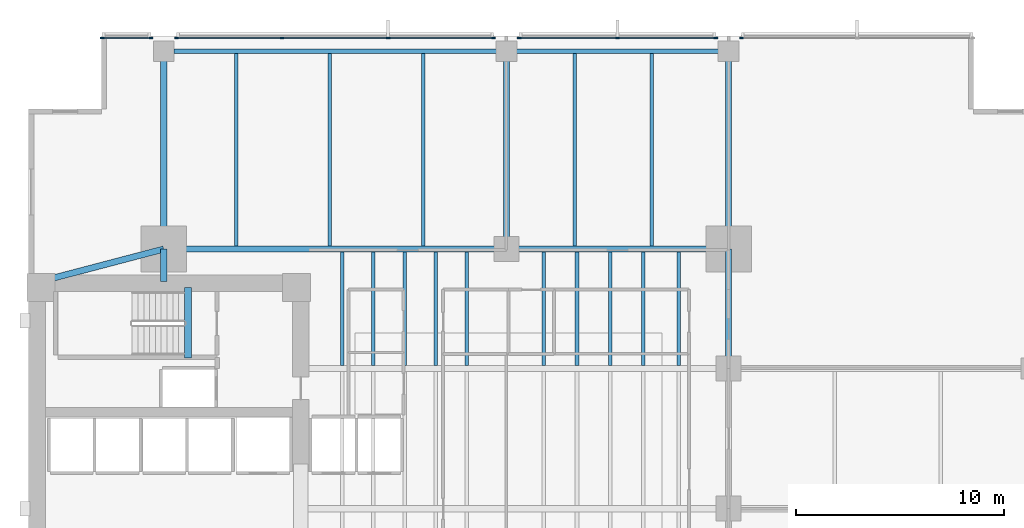
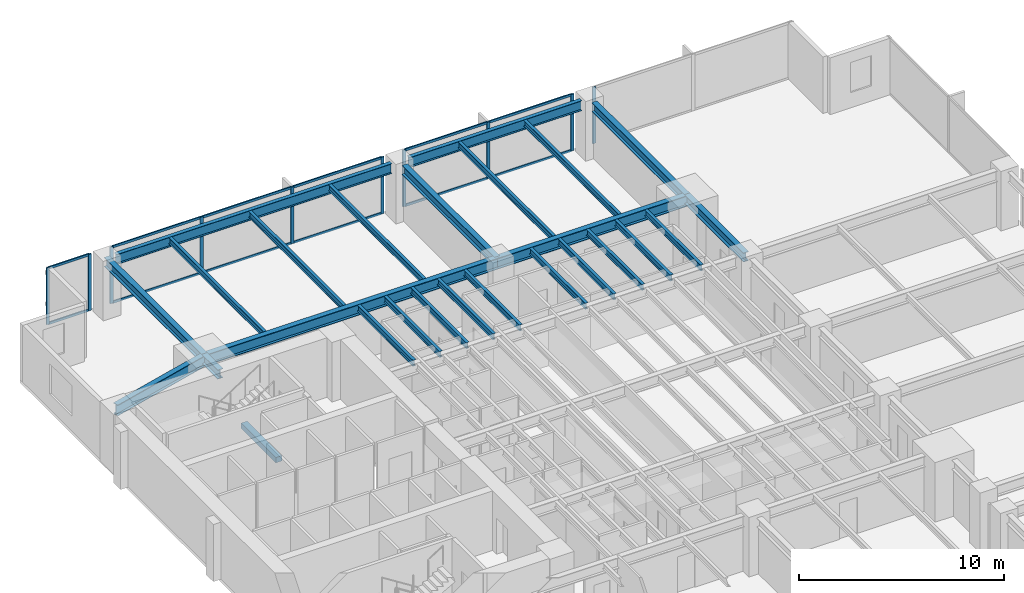
# One storey, part 5 of 15: 26 beams, 22 members, 4 elements without a shape of their own.
"""IFC4 building model written with IfcOpenShell, lengths in metres."""

from ifc_helpers import new_model, si_unit, direction, frame, origin, origin_2d, place, context, subcontext, project, spatial, rectangle, i_section, extrude, material, layer, layer_set, material_profile, profile_set, type_object, element, aggregate, save


model = new_model("IFC4")

# Units and contexts
model_context = context("Model", 3, precision=1e-05, world=origin(), true_north=direction((0.0, 1.0)))
body_context = subcontext(model_context, "Body", "Model", "MODEL_VIEW")
ifc_project = project(units=[si_unit("LENGTHUNIT", "METRE"), si_unit("AREAUNIT", "SQUARE_METRE"), si_unit("VOLUMEUNIT", "CUBIC_METRE"), si_unit("PLANEANGLEUNIT", "RADIAN"), si_unit("MASSUNIT", "GRAM", prefix="KILO")], contexts=[model_context])

# Site, building, storey
site_placement = place(None, origin())
site = spatial("IfcSite", under=ifc_project, at=site_placement, CompositionType="ELEMENT")
building_placement = place(site_placement, origin())
building = spatial("IfcBuilding", under=site, at=building_placement, Name="Kinhvarn Gate Tower", CompositionType="ELEMENT")
storey_placement = place(building_placement, frame((0.0, 0.0, 29.14990234375)))
storey = spatial("IfcBuildingStorey", under=building, at=storey_placement, Name="L06", CompositionType="ELEMENT", Elevation=29.14990234375)

# Beam
ifc_material_1 = material(Name="Concrete C50/60", Category="concrete")
ifc_material_profile_1 = material_profile(ifc_material_1, rectangle(XDim=0.340087890625, YDim=0.320068359375, at=origin_2d()), Name="RC 340x320")
ifc_profile_set_1 = profile_set([ifc_material_profile_1], Name="Concrete C50/60")
beam_type_1 = type_object("IfcBeamType", Name="BM-LND-500", PredefinedType="BEAM", material=ifc_profile_set_1)
beam_1_placement = place(storey_placement, frame((12.1650390625, 32.5, -0.159912109375), z_axis=(0.0, 1.0, 0.0), x_axis=(-1.0, 0.0, 0.0)))
element("IfcBeam", 1, at=beam_1_placement, inside=storey, type_object=beam_type_1, Name="Stair ST2 Landing Nosing Beam (L06)", PredefinedType="BEAM", context=body_context, shape_type="SweptSolid", body=[
    extrude(rectangle(XDim=0.340087890625, YDim=0.320068359375, at=origin_2d()), origin(), (0.0, 0.0, 1.0), 3.39990234375),
])

# Curtain wall, member
ifc_material_2 = material(Name="Anodised aluminium AW-6063", Category="aluminium")
ifc_layer = layer(ifc_material_2, 0.179931640625)
ifc_layer_set = layer_set([ifc_layer], Name="Anodised aluminium AW-6063")
curtain_wall_type = type_object("IfcCurtainWallType", Name="CW-SYS-2", PredefinedType="NOTDEFINED", material=ifc_layer_set)
curtain_wall_1_placement = place(storey_placement, origin())
curtain_wall_1 = element("IfcCurtainWall", 2, at=curtain_wall_1_placement, inside=storey, type_object=curtain_wall_type, Name="Curtain Wall CW2 (L06)", PredefinedType="NOTDEFINED")
ifc_material_profile_2 = material_profile(ifc_material_2, rectangle(XDim=0.070068359375, YDim=0.179931640625, at=origin_2d()), Name="ALU 70x180")
ifc_profile_set_2 = profile_set([ifc_material_profile_2], Name="Anodised aluminium AW-6063")
member_type_1 = type_object("IfcMemberType", Name="CW-MUL-180", PredefinedType="MULLION", material=ifc_profile_set_2)
member_1_placement = place(storey_placement, frame((38.81494140625, 47.909912109375, 0.0), z_axis=(0.0, 0.0, 1.0), x_axis=(0.0, -1.0, 0.0)))
member_1 = element("IfcMember", 3, at=member_1_placement, type_object=member_type_1, Name="CW2 mullion 3", PredefinedType="MULLION", context=body_context, shape_type="SweptSolid", body=[
    extrude(rectangle(XDim=0.070068359375, YDim=0.179931640625, at=origin_2d()), origin(), (0.0, 0.0, 1.0), 3.3701171875),
])
aggregate(curtain_wall_1, [member_1])

# Curtain wall, members
curtain_wall_2_placement = place(storey_placement, origin())
curtain_wall_2 = element("IfcCurtainWall", 4, at=curtain_wall_2_placement, inside=storey, type_object=curtain_wall_type, Name="Curtain Wall CW2 (L06)", PredefinedType="NOTDEFINED")
member_2_placement = place(storey_placement, frame((37.5849609375, 47.909912109375, 0.0), z_axis=(0.0, 0.0, 1.0), x_axis=(0.0, -1.0, 0.0)))
member_2 = element("IfcMember", 5, at=member_2_placement, type_object=member_type_1, Name="CW2 mullion 1", PredefinedType="MULLION", context=body_context, shape_type="SweptSolid", body=[
    extrude(rectangle(XDim=0.070068359375, YDim=0.179931640625, at=origin_2d()), origin(), (0.0, 0.0, 1.0), 3.3701171875),
])
member_3_placement = place(storey_placement, frame((32.85009765625, 47.909912109375, 0.0), z_axis=(0.0, 0.0, 1.0), x_axis=(0.0, -1.0, 0.0)))
member_3 = element("IfcMember", 6, at=member_3_placement, type_object=member_type_1, Name="CW2 mullion 2", PredefinedType="MULLION", context=body_context, shape_type="SweptSolid", body=[
    extrude(rectangle(XDim=0.070068359375, YDim=0.179931640625, at=origin_2d()), origin(), (0.0, 0.0, 1.0), 3.3701171875),
])
member_4_placement = place(storey_placement, frame((28.114990234375, 47.909912109375, 0.0), z_axis=(0.0, 0.0, 1.0), x_axis=(0.0, -1.0, 0.0)))
member_4 = element("IfcMember", 7, at=member_4_placement, type_object=member_type_1, Name="CW2 mullion 3", PredefinedType="MULLION", context=body_context, shape_type="SweptSolid", body=[
    extrude(rectangle(XDim=0.070068359375, YDim=0.179931640625, at=origin_2d()), origin(), (0.0, 0.0, 1.0), 3.3701171875),
])

curtain_wall_3_placement = place(storey_placement, origin())
curtain_wall_3 = element("IfcCurtainWall", 8, at=curtain_wall_3_placement, inside=storey, type_object=curtain_wall_type, Name="Curtain Wall CW2 (L06)", PredefinedType="NOTDEFINED")
member_5_placement = place(storey_placement, frame((26.885009765625, 47.909912109375, 0.0), z_axis=(0.0, 0.0, 1.0), x_axis=(0.0, -1.0, 0.0)))
member_5 = element("IfcMember", 9, at=member_5_placement, type_object=member_type_1, Name="CW2 mullion 1", PredefinedType="MULLION", context=body_context, shape_type="SweptSolid", body=[
    extrude(rectangle(XDim=0.070068359375, YDim=0.179931640625, at=origin_2d()), origin(), (0.0, 0.0, 1.0), 3.3701171875),
])
member_6_placement = place(storey_placement, frame((21.806640625, 47.909912109375, 0.0), z_axis=(0.0, 0.0, 1.0), x_axis=(0.0, -1.0, 0.0)))
member_6 = element("IfcMember", 10, at=member_6_placement, type_object=member_type_1, Name="CW2 mullion 2", PredefinedType="MULLION", context=body_context, shape_type="SweptSolid", body=[
    extrude(rectangle(XDim=0.070068359375, YDim=0.179931640625, at=origin_2d()), origin(), (0.0, 0.0, 1.0), 3.3701171875),
])
member_7_placement = place(storey_placement, frame((16.693359375, 47.909912109375, 0.0), z_axis=(0.0, 0.0, 1.0), x_axis=(0.0, -1.0, 0.0)))
member_7 = element("IfcMember", 11, at=member_7_placement, type_object=member_type_1, Name="CW2 mullion 3", PredefinedType="MULLION", context=body_context, shape_type="SweptSolid", body=[
    extrude(rectangle(XDim=0.070068359375, YDim=0.179931640625, at=origin_2d()), origin(), (0.0, 0.0, 1.0), 3.3701171875),
])
member_8_placement = place(storey_placement, frame((11.614990234375, 47.909912109375, 0.0), z_axis=(0.0, 0.0, 1.0), x_axis=(0.0, -1.0, 0.0)))
member_8 = element("IfcMember", 12, at=member_8_placement, type_object=member_type_1, Name="CW2 mullion 4", PredefinedType="MULLION", context=body_context, shape_type="SweptSolid", body=[
    extrude(rectangle(XDim=0.070068359375, YDim=0.179931640625, at=origin_2d()), origin(), (0.0, 0.0, 1.0), 3.3701171875),
])

curtain_wall_4_placement = place(storey_placement, origin())
curtain_wall_4 = element("IfcCurtainWall", 13, at=curtain_wall_4_placement, inside=storey, type_object=curtain_wall_type, Name="Curtain Wall CW2 (L06)", PredefinedType="NOTDEFINED")
member_9_placement = place(storey_placement, frame((10.385009765625, 47.909912109375, 0.0), z_axis=(0.0, 0.0, 1.0), x_axis=(0.0, -1.0, 0.0)))
member_9 = element("IfcMember", 14, at=member_9_placement, type_object=member_type_1, Name="CW2 mullion 1", PredefinedType="MULLION", context=body_context, shape_type="SweptSolid", body=[
    extrude(rectangle(XDim=0.070068359375, YDim=0.179931640625, at=origin_2d()), origin(), (0.0, 0.0, 1.0), 3.3701171875),
])
member_10_placement = place(storey_placement, frame((8.034912109375, 47.909912109375, 0.0), z_axis=(0.0, 0.0, 1.0), x_axis=(0.0, -1.0, 0.0)))
member_10 = element("IfcMember", 15, at=member_10_placement, type_object=member_type_1, Name="CW2 mullion 2", PredefinedType="MULLION", context=body_context, shape_type="SweptSolid", body=[
    extrude(rectangle(XDim=0.070068359375, YDim=0.179931640625, at=origin_2d()), origin(), (0.0, 0.0, 1.0), 3.3701171875),
])

# Member
ifc_material_profile_3 = material_profile(ifc_material_2, rectangle(XDim=0.070068359375, YDim=0.139892578125, at=origin_2d()), Name="ALU 70x140")
ifc_profile_set_3 = profile_set([ifc_material_profile_3], Name="Anodised aluminium AW-6063")
member_type_2 = type_object("IfcMemberType", Name="CW-TRN-140", PredefinedType="USERDEFINED", material=ifc_profile_set_3)
member_11_placement = place(storey_placement, frame((37.550048828125, 47.909912109375, 0.03515625), z_axis=(-1.0, 0.0, 0.0), x_axis=(0.0, -1.0, 0.0)))
member_11 = element("IfcMember", 16, at=member_11_placement, type_object=member_type_2, Name="CW2 transom 1.1", ObjectType="TRANSOM", PredefinedType="USERDEFINED", context=body_context, shape_type="SweptSolid", body=[
    extrude(rectangle(XDim=0.070068359375, YDim=0.139892578125, at=origin_2d()), origin(), (0.0, 0.0, 1.0), 4.6650390625),
])

member_12_placement = place(storey_placement, frame((37.550048828125, 47.909912109375, 3.335205078125), z_axis=(-1.0, 0.0, 0.0), x_axis=(0.0, -1.0, 0.0)))
member_12 = element("IfcMember", 17, at=member_12_placement, type_object=member_type_2, Name="CW2 transom 1.2", ObjectType="TRANSOM", PredefinedType="USERDEFINED", context=body_context, shape_type="SweptSolid", body=[
    extrude(rectangle(XDim=0.070068359375, YDim=0.139892578125, at=origin_2d()), origin(), (0.0, 0.0, 1.0), 4.6650390625),
])

member_13_placement = place(storey_placement, frame((32.81494140625, 47.909912109375, 0.03515625), z_axis=(-1.0, 0.0, 0.0), x_axis=(0.0, -1.0, 0.0)))
member_13 = element("IfcMember", 18, at=member_13_placement, type_object=member_type_2, Name="CW2 transom 2.1", ObjectType="TRANSOM", PredefinedType="USERDEFINED", context=body_context, shape_type="SweptSolid", body=[
    extrude(rectangle(XDim=0.070068359375, YDim=0.139892578125, at=origin_2d()), origin(), (0.0, 0.0, 1.0), 4.6650390625),
])

member_14_placement = place(storey_placement, frame((32.81494140625, 47.909912109375, 3.335205078125), z_axis=(-1.0, 0.0, 0.0), x_axis=(0.0, -1.0, 0.0)))
member_14 = element("IfcMember", 19, at=member_14_placement, type_object=member_type_2, Name="CW2 transom 2.2", ObjectType="TRANSOM", PredefinedType="USERDEFINED", context=body_context, shape_type="SweptSolid", body=[
    extrude(rectangle(XDim=0.070068359375, YDim=0.139892578125, at=origin_2d()), origin(), (0.0, 0.0, 1.0), 4.6650390625),
])

aggregate(curtain_wall_2, [member_2, member_3, member_4, member_11, member_12, member_13, member_14])

member_15_placement = place(storey_placement, frame((26.85009765625, 47.909912109375, 0.03515625), z_axis=(-1.0, 0.0, 0.0), x_axis=(0.0, -1.0, 0.0)))
member_15 = element("IfcMember", 20, at=member_15_placement, type_object=member_type_2, Name="CW2 transom 1.1", ObjectType="TRANSOM", PredefinedType="USERDEFINED", context=body_context, shape_type="SweptSolid", body=[
    extrude(rectangle(XDim=0.070068359375, YDim=0.139892578125, at=origin_2d()), origin(), (0.0, 0.0, 1.0), 5.008544921875),
])

member_16_placement = place(storey_placement, frame((26.85009765625, 47.909912109375, 3.335205078125), z_axis=(-1.0, 0.0, 0.0), x_axis=(0.0, -1.0, 0.0)))
member_16 = element("IfcMember", 21, at=member_16_placement, type_object=member_type_2, Name="CW2 transom 1.2", ObjectType="TRANSOM", PredefinedType="USERDEFINED", context=body_context, shape_type="SweptSolid", body=[
    extrude(rectangle(XDim=0.070068359375, YDim=0.139892578125, at=origin_2d()), origin(), (0.0, 0.0, 1.0), 5.008544921875),
])

member_17_placement = place(storey_placement, frame((21.771728515625, 47.909912109375, 0.03515625), z_axis=(-1.0, 0.0, 0.0), x_axis=(0.0, -1.0, 0.0)))
member_17 = element("IfcMember", 22, at=member_17_placement, type_object=member_type_2, Name="CW2 transom 2.1", ObjectType="TRANSOM", PredefinedType="USERDEFINED", context=body_context, shape_type="SweptSolid", body=[
    extrude(rectangle(XDim=0.070068359375, YDim=0.139892578125, at=origin_2d()), origin(), (0.0, 0.0, 1.0), 5.04345703125),
])

member_18_placement = place(storey_placement, frame((21.771728515625, 47.909912109375, 3.335205078125), z_axis=(-1.0, 0.0, 0.0), x_axis=(0.0, -1.0, 0.0)))
member_18 = element("IfcMember", 23, at=member_18_placement, type_object=member_type_2, Name="CW2 transom 2.2", ObjectType="TRANSOM", PredefinedType="USERDEFINED", context=body_context, shape_type="SweptSolid", body=[
    extrude(rectangle(XDim=0.070068359375, YDim=0.139892578125, at=origin_2d()), origin(), (0.0, 0.0, 1.0), 5.04345703125),
])

member_19_placement = place(storey_placement, frame((16.658447265625, 47.909912109375, 0.03515625), z_axis=(-1.0, 0.0, 0.0), x_axis=(0.0, -1.0, 0.0)))
member_19 = element("IfcMember", 24, at=member_19_placement, type_object=member_type_2, Name="CW2 transom 3.1", ObjectType="TRANSOM", PredefinedType="USERDEFINED", context=body_context, shape_type="SweptSolid", body=[
    extrude(rectangle(XDim=0.070068359375, YDim=0.139892578125, at=origin_2d()), origin(), (0.0, 0.0, 1.0), 5.008544921875),
])

member_20_placement = place(storey_placement, frame((16.658447265625, 47.909912109375, 3.335205078125), z_axis=(-1.0, 0.0, 0.0), x_axis=(0.0, -1.0, 0.0)))
member_20 = element("IfcMember", 25, at=member_20_placement, type_object=member_type_2, Name="CW2 transom 3.2", ObjectType="TRANSOM", PredefinedType="USERDEFINED", context=body_context, shape_type="SweptSolid", body=[
    extrude(rectangle(XDim=0.070068359375, YDim=0.139892578125, at=origin_2d()), origin(), (0.0, 0.0, 1.0), 5.008544921875),
])

aggregate(curtain_wall_3, [member_5, member_6, member_7, member_8, member_15, member_16, member_17, member_18, member_19, member_20])

member_21_placement = place(storey_placement, frame((10.35009765625, 47.909912109375, 0.03515625), z_axis=(-1.0, 0.0, 0.0), x_axis=(0.0, -1.0, 0.0)))
member_21 = element("IfcMember", 26, at=member_21_placement, type_object=member_type_2, Name="CW2 transom 1.1", ObjectType="TRANSOM", PredefinedType="USERDEFINED", context=body_context, shape_type="SweptSolid", body=[
    extrude(rectangle(XDim=0.070068359375, YDim=0.139892578125, at=origin_2d()), origin(), (0.0, 0.0, 1.0), 2.280029296875),
])

member_22_placement = place(storey_placement, frame((10.35009765625, 47.909912109375, 3.335205078125), z_axis=(-1.0, 0.0, 0.0), x_axis=(0.0, -1.0, 0.0)))
member_22 = element("IfcMember", 27, at=member_22_placement, type_object=member_type_2, Name="CW2 transom 1.2", ObjectType="TRANSOM", PredefinedType="USERDEFINED", context=body_context, shape_type="SweptSolid", body=[
    extrude(rectangle(XDim=0.070068359375, YDim=0.139892578125, at=origin_2d()), origin(), (0.0, 0.0, 1.0), 2.280029296875),
])

aggregate(curtain_wall_4, [member_9, member_10, member_21, member_22])

# Beams
ifc_material_3 = material(Name="Steel S355", Category="steel")
ifc_material_profile_4 = material_profile(ifc_material_3, i_section(OverallWidth=0.300048828125, OverallDepth=0.550048828125, WebThickness=0.014892578125, FlangeThickness=0.029052734375, at=origin_2d()), Name="HEB 550")
ifc_profile_set_4 = profile_set([ifc_material_profile_4], Name="Steel S355")
beam_type_2 = type_object("IfcBeamType", Name="STL-HEB550", PredefinedType="BEAM", material=ifc_profile_set_4)
beam_2_placement = place(storey_placement, frame((11.0, 36.199951171875, 3.09521484375), z_axis=(0.0, 1.0, 0.0), x_axis=(-1.0, 0.0, 0.0)))
element("IfcBeam", 28, at=beam_2_placement, inside=storey, type_object=beam_type_2, Name="Floor Beam PG-15 (L06 MCW-CN)", PredefinedType="BEAM", context=body_context, shape_type="SweptSolid", body=[
    extrude(i_section(OverallWidth=0.300048828125, OverallDepth=0.550048828125, WebThickness=0.014892578125, FlangeThickness=0.029052734375, at=origin_2d()), origin(), (0.0, 0.0, 1.0), 1.550048828125),
])
beam_3_placement = place(storey_placement, frame((11.0, 37.75, 3.09521484375), z_axis=(0.0, 1.0, 0.0), x_axis=(-1.0, 0.0, 0.0)))
element("IfcBeam", 29, at=beam_3_placement, inside=storey, type_object=beam_type_2, Name="Floor Beam PG-15 (L06 MCW-N)", PredefinedType="BEAM", context=body_context, shape_type="SweptSolid", body=[
    extrude(i_section(OverallWidth=0.300048828125, OverallDepth=0.550048828125, WebThickness=0.014892578125, FlangeThickness=0.029052734375, at=origin_2d()), origin(), (0.0, 0.0, 1.0), 9.530029296875),
])
for number, where, z_axis, x_axis, name in (
    (30, (27.5, 37.75, 3.09521484375), (0.0, 1.0, 0.0), (-1.0, 0.0, 0.0), "Floor Beam PG-15 (L06 SP27-N-TIE)"),
    (31, (38.199951171875, 37.75, 3.09521484375), (0.0, 1.0, 0.0), (-1.0, 0.0, 0.0), "Floor Beam PG-15 (L06 MCE-N)"),
):
    element("IfcBeam", number, at=place(storey_placement, frame(where, z_axis=z_axis, x_axis=x_axis)), inside=storey, type_object=beam_type_2, Name=name, PredefinedType="BEAM", context=body_context, shape_type="SweptSolid", body=[
        extrude(i_section(OverallWidth=0.300048828125, OverallDepth=0.550048828125, WebThickness=0.014892578125, FlangeThickness=0.029052734375, at=origin_2d()), origin(), (0.0, 0.0, 1.0), 9.044921875),
    ])
beam_4_placement = place(storey_placement, frame((38.199951171875, 32.0, 3.09521484375), z_axis=(0.0, 1.0, 0.0), x_axis=(-1.0, 0.0, 0.0)))
element("IfcBeam", 32, at=beam_4_placement, inside=storey, type_object=beam_type_2, Name="Floor Beam PG-15 (L06 MG-E-32)", PredefinedType="BEAM", context=body_context, shape_type="SweptSolid", body=[
    extrude(i_section(OverallWidth=0.300048828125, OverallDepth=0.550048828125, WebThickness=0.014892578125, FlangeThickness=0.029052734375, at=origin_2d()), origin(), (0.0, 0.0, 1.0), 5.75),
])
ifc_material_profile_5 = material_profile(ifc_material_3, i_section(OverallWidth=0.300048828125, OverallDepth=0.64990234375, WebThickness=0.01611328125, FlangeThickness=0.031005859375, at=origin_2d()), Name="HEB 650")
ifc_profile_set_5 = profile_set([ifc_material_profile_5], Name="Steel S355")
beam_type_3 = type_object("IfcBeamType", Name="STL-HEB650", PredefinedType="BEAM", material=ifc_profile_set_5)
beam_5_placement = place(storey_placement, frame((11.0, 37.75, 3.045166015625), z_axis=(1.0, 0.0, 0.0), x_axis=(0.0, 1.0, 0.0)))
element("IfcBeam", 33, at=beam_5_placement, inside=storey, type_object=beam_type_3, Name="Floor Beam PG-17 (L06 MG-N1)", PredefinedType="BEAM", context=body_context, shape_type="SweptSolid", body=[
    extrude(i_section(OverallWidth=0.300048828125, OverallDepth=0.64990234375, WebThickness=0.01611328125, FlangeThickness=0.031005859375, at=origin_2d()), origin(), (0.0, 0.0, 1.0), 16.5),
])
beam_6_placement = place(storey_placement, frame((27.5, 37.75, 3.045166015625), z_axis=(1.0, 0.0, 0.0), x_axis=(0.0, 1.0, 0.0)))
element("IfcBeam", 34, at=beam_6_placement, inside=storey, type_object=beam_type_3, Name="Floor Beam PG-17 (L06 MG-N2)", PredefinedType="BEAM", context=body_context, shape_type="SweptSolid", body=[
    extrude(i_section(OverallWidth=0.300048828125, OverallDepth=0.64990234375, WebThickness=0.01611328125, FlangeThickness=0.031005859375, at=origin_2d()), origin(), (0.0, 0.0, 1.0), 10.699951171875),
])
beam_7_placement = place(storey_placement, frame((5.10009765625, 36.199951171875, 3.045166015625), z_axis=(0.967177623957, 0.254101246979, 0.0), x_axis=(-0.254101246979, 0.967177623957, 0.0)))
element("IfcBeam", 35, at=beam_7_placement, inside=storey, type_object=beam_type_3, Name="Floor Beam PG-17 (L06 MG-NW-DIAG)", PredefinedType="BEAM", context=body_context, shape_type="SweptSolid", body=[
    extrude(i_section(OverallWidth=0.300048828125, OverallDepth=0.64990234375, WebThickness=0.01611328125, FlangeThickness=0.031005859375, at=origin_2d()), origin(), (0.0, 0.0, 1.0), 6.10009765625),
])
ifc_material_profile_6 = material_profile(ifc_material_3, i_section(OverallWidth=0.169921875, OverallDepth=0.360107421875, WebThickness=0.008056640625, FlangeThickness=0.0126953125, at=origin_2d()), Name="IPE 360")
ifc_profile_set_6 = profile_set([ifc_material_profile_6], Name="Steel S355")
beam_type_4 = type_object("IfcBeamType", Name="STL-IPE360", PredefinedType="JOIST", material=ifc_profile_set_6)
for number, where, z_axis, x_axis, name in (
    (36, (19.60009765625, 32.14990234375, 3.190185546875), (0.0, 1.0, 0.0), (-1.0, 0.0, 0.0), "Floor Joist SB-04 (L06 JC-X196-3)"),
    (37, (21.10009765625, 32.14990234375, 3.190185546875), (0.0, 1.0, 0.0), (-1.0, 0.0, 0.0), "Floor Joist SB-04 (L06 JC-X211-3)"),
    (38, (22.60009765625, 32.14990234375, 3.190185546875), (0.0, 1.0, 0.0), (-1.0, 0.0, 0.0), "Floor Joist SB-04 (L06 JC-X226-3)"),
    (39, (24.10009765625, 32.14990234375, 3.190185546875), (0.0, 1.0, 0.0), (-1.0, 0.0, 0.0), "Floor Joist SB-04 (L06 JC-X241-3)"),
    (40, (25.60009765625, 32.14990234375, 3.190185546875), (0.0, 1.0, 0.0), (-1.0, 0.0, 0.0), "Floor Joist SB-04 (L06 JC-X256-3)"),
    (41, (29.300048828125, 32.14990234375, 3.190185546875), (0.0, 1.0, 0.0), (-1.0, 0.0, 0.0), "Floor Joist SB-04 (L06 JC-X293-3)"),
    (42, (30.89990234375, 32.14990234375, 3.190185546875), (0.0, 1.0, 0.0), (-1.0, 0.0, 0.0), "Floor Joist SB-04 (L06 JC-X309-3)"),
    (43, (32.5, 32.14990234375, 3.190185546875), (0.0, 1.0, 0.0), (-1.0, 0.0, 0.0), "Floor Joist SB-04 (L06 JC-X325-3)"),
    (44, (34.10009765625, 32.14990234375, 3.190185546875), (0.0, 1.0, 0.0), (-1.0, 0.0, 0.0), "Floor Joist SB-04 (L06 JC-X341-3)"),
    (45, (35.800048828125, 32.14990234375, 3.190185546875), (0.0, 1.0, 0.0), (-1.0, 0.0, 0.0), "Floor Joist SB-04 (L06 JC-X358-3)"),
):
    element("IfcBeam", number, at=place(storey_placement, frame(where, z_axis=z_axis, x_axis=x_axis)), inside=storey, type_object=beam_type_4, Name=name, PredefinedType="JOIST", context=body_context, shape_type="SweptSolid", body=[
        extrude(i_section(OverallWidth=0.169921875, OverallDepth=0.360107421875, WebThickness=0.008056640625, FlangeThickness=0.0126953125, at=origin_2d()), origin(), (0.0, 0.0, 1.0), 5.4501953125),
    ])
for number, where, z_axis, x_axis, name in (
    (46, (14.5, 37.89990234375, 3.190185546875), (0.0, 1.0, 0.0), (-1.0, 0.0, 0.0), "Floor Joist SB-04 (L06 JN-X145)"),
    (47, (19.0, 37.89990234375, 3.190185546875), (0.0, 1.0, 0.0), (-1.0, 0.0, 0.0), "Floor Joist SB-04 (L06 JN-X190)"),
    (48, (23.5, 37.89990234375, 3.190185546875), (0.0, 1.0, 0.0), (-1.0, 0.0, 0.0), "Floor Joist SB-04 (L06 JN-X235)"),
    (49, (30.800048828125, 37.89990234375, 3.190185546875), (0.0, 1.0, 0.0), (-1.0, 0.0, 0.0), "Floor Joist SB-04 (L06 JN-X308)"),
    (50, (34.5, 37.89990234375, 3.190185546875), (0.0, 1.0, 0.0), (-1.0, 0.0, 0.0), "Floor Joist SB-04 (L06 JN-X345)"),
):
    element("IfcBeam", number, at=place(storey_placement, frame(where, z_axis=z_axis, x_axis=x_axis)), inside=storey, type_object=beam_type_4, Name=name, PredefinedType="JOIST", context=body_context, shape_type="SweptSolid", body=[
        extrude(i_section(OverallWidth=0.169921875, OverallDepth=0.360107421875, WebThickness=0.008056640625, FlangeThickness=0.0126953125, at=origin_2d()), origin(), (0.0, 0.0, 1.0), 9.27001953125),
    ])
ifc_material_profile_7 = material_profile(ifc_material_3, i_section(OverallWidth=0.219970703125, OverallDepth=0.60009765625, WebThickness=0.011962890625, FlangeThickness=0.01904296875, at=origin_2d()), Name="IPE 600")
ifc_profile_set_7 = profile_set([ifc_material_profile_7], Name="Steel S355")
beam_type_5 = type_object("IfcBeamType", Name="STL-IPE600", PredefinedType="SPANDREL", material=ifc_profile_set_7)
beam_8_placement = place(storey_placement, frame((11.485107421875, 47.280029296875, 3.070068359375), z_axis=(1.0, 0.0, 0.0), x_axis=(0.0, 1.0, 0.0)))
element("IfcBeam", 51, at=beam_8_placement, inside=storey, type_object=beam_type_5, Name="Floor Spandrel SB-09 (L06 SP-N1)", PredefinedType="SPANDREL", context=body_context, shape_type="SweptSolid", body=[
    extrude(i_section(OverallWidth=0.219970703125, OverallDepth=0.60009765625, WebThickness=0.011962890625, FlangeThickness=0.01904296875, at=origin_2d()), origin(), (0.0, 0.0, 1.0), 15.52978515625),
])
beam_9_placement = place(storey_placement, frame((27.985107421875, 47.280029296875, 3.070068359375), z_axis=(1.0, 0.0, 0.0), x_axis=(0.0, 1.0, 0.0)))
element("IfcBeam", 52, at=beam_9_placement, inside=storey, type_object=beam_type_5, Name="Floor Spandrel SB-09 (L06 SP-N2)", PredefinedType="SPANDREL", context=body_context, shape_type="SweptSolid", body=[
    extrude(i_section(OverallWidth=0.219970703125, OverallDepth=0.60009765625, WebThickness=0.011962890625, FlangeThickness=0.01904296875, at=origin_2d()), origin(), (0.0, 0.0, 1.0), 9.72998046875),
])

save(model, "model.ifc")
